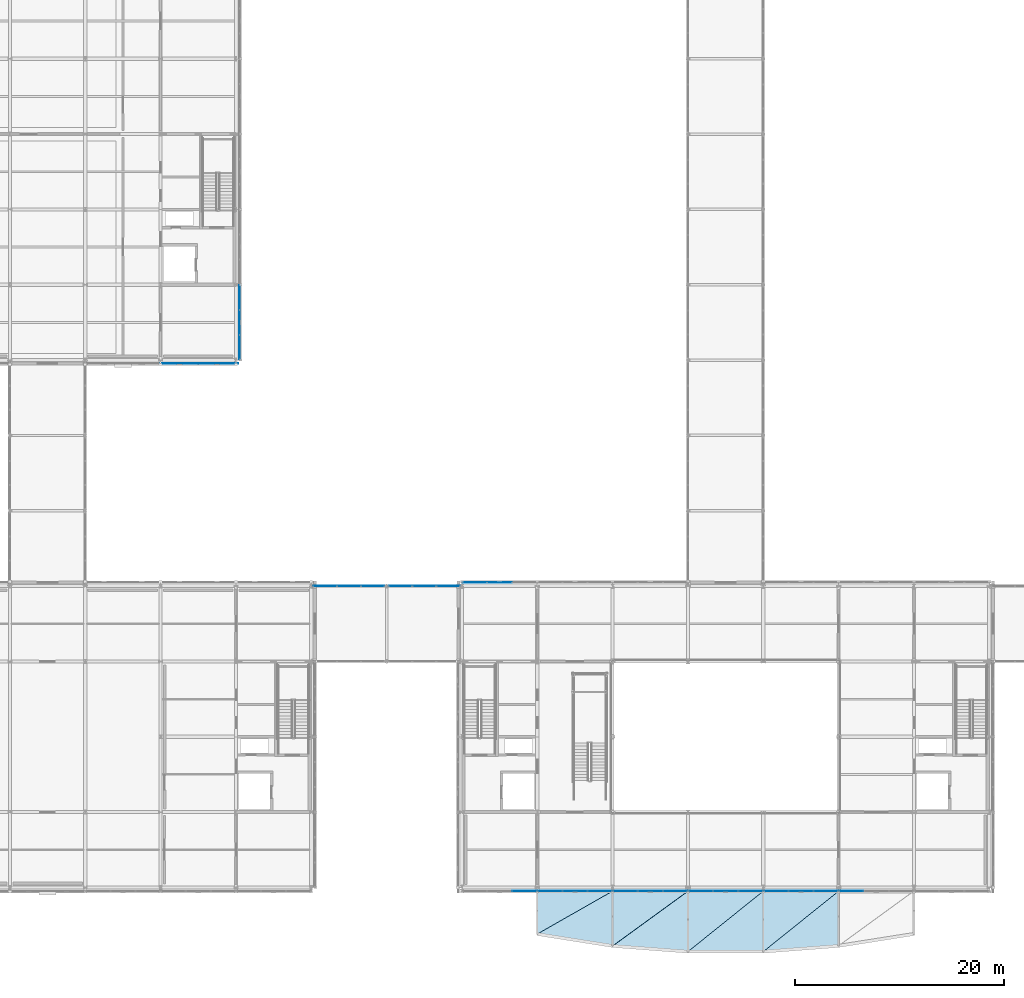
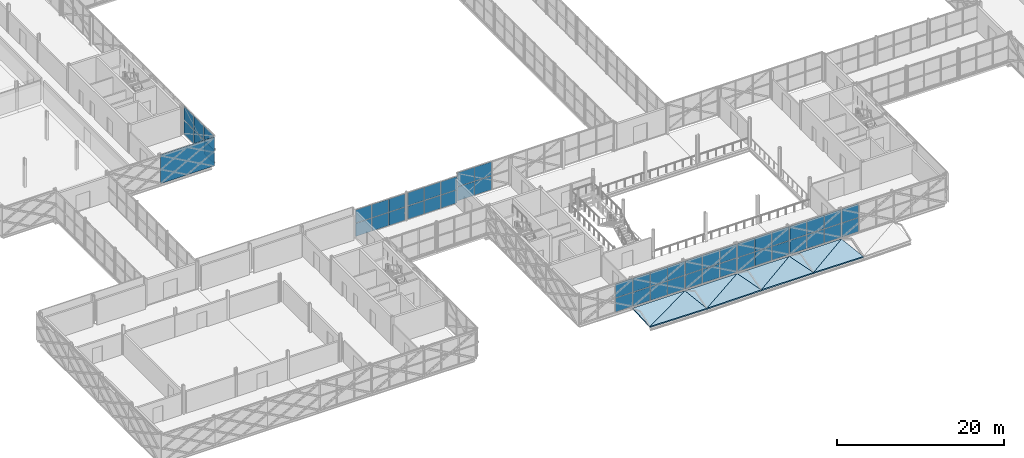
# One storey, part 88 of 146: 51 plates, 8 slabs, 10 elements without a shape of their own.
"""IFC4 building model written with IfcOpenShell, lengths in metres."""

from ifc_helpers import new_model, si_unit, direction, frame, origin, origin_2d, place, context, subcontext, project, spatial, polyline, rectangle, outline, extrude, material, layer, layer_set, type_object, element, aggregate, save


model = new_model("IFC4")

# Units and contexts
model_context = context("Model", 3, precision=1e-05, world=origin(), true_north=direction((0.0, 1.0)))
body_context = subcontext(model_context, "Body", "Model", "MODEL_VIEW")
ifc_project = project(units=[si_unit("LENGTHUNIT", "METRE"), si_unit("AREAUNIT", "SQUARE_METRE"), si_unit("VOLUMEUNIT", "CUBIC_METRE"), si_unit("PLANEANGLEUNIT", "RADIAN"), si_unit("MASSUNIT", "GRAM", prefix="KILO")], contexts=[model_context])

# Site, building, storey
site_placement = place(None, origin())
site = spatial("IfcSite", under=ifc_project, at=site_placement, CompositionType="ELEMENT")
building_placement = place(site_placement, origin())
building = spatial("IfcBuilding", under=site, at=building_placement, Name="Zlatovets Crest Museum", CompositionType="ELEMENT")
storey_placement = place(building_placement, frame((0.0, 0.0, 4.5)))
storey = spatial("IfcBuildingStorey", under=building, at=storey_placement, Name="L01", CompositionType="ELEMENT", Elevation=4.5)

# Curtain wall, plates
ifc_material_1 = material(Name="Bronze-anodised aluminium and low-E triple glass", Category="aluminium")
curtain_wall_type_1 = type_object("IfcCurtainWallType", Name="CW_CW-BR1-L01-S69", PredefinedType="NOTDEFINED", material=ifc_material_1)
curtain_wall_1_placement = place(storey_placement, origin())
curtain_wall_1 = element("IfcCurtainWall", 1, at=curtain_wall_1_placement, inside=storey, type_object=curtain_wall_type_1, Name="South Forecourt Glazed Link Bridge L01 Glazed Bridge Curtain Wall", PredefinedType="NOTDEFINED")
ifc_material_2 = material(Name="Solar-control low-E laminated triple glass", Category="glass")
ifc_layer_1 = layer(ifc_material_2, 0.030029296875)
ifc_layer_set_1 = layer_set([ifc_layer_1], Name="Solar-control low-E laminated triple glass")
plate_type_1 = type_object("IfcPlateType", Name="CWPanel_CW-BR1-L01-S69", PredefinedType="CURTAIN_PANEL", material=ifc_layer_set_1)
plate_1_placement = place(storey_placement, frame((44.514892578125, 28.800048828125, 0.06005859375), z_axis=(0.0, 0.0, 1.0), x_axis=(1.0, 0.0, 0.0)))
plate_1 = element("IfcPlate", 2, at=plate_1_placement, type_object=plate_type_1, Name="CW-BR1-L01-S69 panel 1.1", PredefinedType="CURTAIN_PANEL", context=body_context, shape_type="SweptSolid", body=[
    extrude(rectangle(XDim=2.2099609375, YDim=0.030029296875, at=origin_2d()), origin(), (0.0, 0.0, 1.0), 1.89990234375),
])
plate_2_placement = place(storey_placement, frame((44.514892578125, 28.800048828125, 2.02001953125), z_axis=(0.0, 0.0, 1.0), x_axis=(1.0, 0.0, 0.0)))
plate_2 = element("IfcPlate", 3, at=plate_2_placement, type_object=plate_type_1, Name="CW-BR1-L01-S69 panel 1.2", PredefinedType="CURTAIN_PANEL", context=body_context, shape_type="SweptSolid", body=[
    extrude(rectangle(XDim=2.2099609375, YDim=0.030029296875, at=origin_2d()), origin(), (0.0, 0.0, 1.0), 1.89990234375),
])
plate_3_placement = place(storey_placement, frame((46.800048828125, 28.800048828125, 0.06005859375), z_axis=(0.0, 0.0, 1.0), x_axis=(1.0, 0.0, 0.0)))
plate_3 = element("IfcPlate", 4, at=plate_3_placement, type_object=plate_type_1, Name="CW-BR1-L01-S69 panel 2.1", PredefinedType="CURTAIN_PANEL", context=body_context, shape_type="SweptSolid", body=[
    extrude(rectangle(XDim=2.239990234375, YDim=0.030029296875, at=origin_2d()), origin(), (0.0, 0.0, 1.0), 1.89990234375),
])
plate_4_placement = place(storey_placement, frame((46.800048828125, 28.800048828125, 2.02001953125), z_axis=(0.0, 0.0, 1.0), x_axis=(1.0, 0.0, 0.0)))
plate_4 = element("IfcPlate", 5, at=plate_4_placement, type_object=plate_type_1, Name="CW-BR1-L01-S69 panel 2.2", PredefinedType="CURTAIN_PANEL", context=body_context, shape_type="SweptSolid", body=[
    extrude(rectangle(XDim=2.239990234375, YDim=0.030029296875, at=origin_2d()), origin(), (0.0, 0.0, 1.0), 1.89990234375),
])
plate_5_placement = place(storey_placement, frame((49.0849609375, 28.800048828125, 0.06005859375), z_axis=(0.0, 0.0, 1.0), x_axis=(1.0, 0.0, 0.0)))
plate_5 = element("IfcPlate", 6, at=plate_5_placement, type_object=plate_type_1, Name="CW-BR1-L01-S69 panel 3.1", PredefinedType="CURTAIN_PANEL", context=body_context, shape_type="SweptSolid", body=[
    extrude(rectangle(XDim=2.2099609375, YDim=0.030029296875, at=origin_2d()), origin(), (0.0, 0.0, 1.0), 1.89990234375),
])
plate_6_placement = place(storey_placement, frame((49.0849609375, 28.800048828125, 2.02001953125), z_axis=(0.0, 0.0, 1.0), x_axis=(1.0, 0.0, 0.0)))
plate_6 = element("IfcPlate", 7, at=plate_6_placement, type_object=plate_type_1, Name="CW-BR1-L01-S69 panel 3.2", PredefinedType="CURTAIN_PANEL", context=body_context, shape_type="SweptSolid", body=[
    extrude(rectangle(XDim=2.2099609375, YDim=0.030029296875, at=origin_2d()), origin(), (0.0, 0.0, 1.0), 1.89990234375),
])
aggregate(curtain_wall_1, [plate_1, plate_2, plate_3, plate_4, plate_5, plate_6])

curtain_wall_2_placement = place(storey_placement, origin())
curtain_wall_2 = element("IfcCurtainWall", 8, at=curtain_wall_2_placement, inside=storey, type_object=curtain_wall_type_1, Name="South Forecourt Glazed Link Bridge L01 Glazed Bridge Curtain Wall", PredefinedType="NOTDEFINED")
plate_7_placement = place(storey_placement, frame((51.715087890625, 28.800048828125, 0.06005859375), z_axis=(0.0, 0.0, 1.0), x_axis=(1.0, 0.0, 0.0)))
plate_7 = element("IfcPlate", 9, at=plate_7_placement, type_object=plate_type_1, Name="CW-BR1-L01-S69 panel 1.1", PredefinedType="CURTAIN_PANEL", context=body_context, shape_type="SweptSolid", body=[
    extrude(rectangle(XDim=2.2099609375, YDim=0.030029296875, at=origin_2d()), origin(), (0.0, 0.0, 1.0), 1.89990234375),
])
plate_8_placement = place(storey_placement, frame((51.715087890625, 28.800048828125, 2.02001953125), z_axis=(0.0, 0.0, 1.0), x_axis=(1.0, 0.0, 0.0)))
plate_8 = element("IfcPlate", 10, at=plate_8_placement, type_object=plate_type_1, Name="CW-BR1-L01-S69 panel 1.2", PredefinedType="CURTAIN_PANEL", context=body_context, shape_type="SweptSolid", body=[
    extrude(rectangle(XDim=2.2099609375, YDim=0.030029296875, at=origin_2d()), origin(), (0.0, 0.0, 1.0), 1.89990234375),
])
plate_9_placement = place(storey_placement, frame((54.0, 28.800048828125, 0.06005859375), z_axis=(0.0, 0.0, 1.0), x_axis=(1.0, 0.0, 0.0)))
plate_9 = element("IfcPlate", 11, at=plate_9_placement, type_object=plate_type_1, Name="CW-BR1-L01-S69 panel 2.1", PredefinedType="CURTAIN_PANEL", context=body_context, shape_type="SweptSolid", body=[
    extrude(rectangle(XDim=2.239990234375, YDim=0.030029296875, at=origin_2d()), origin(), (0.0, 0.0, 1.0), 1.89990234375),
])
plate_10_placement = place(storey_placement, frame((54.0, 28.800048828125, 2.02001953125), z_axis=(0.0, 0.0, 1.0), x_axis=(1.0, 0.0, 0.0)))
plate_10 = element("IfcPlate", 12, at=plate_10_placement, type_object=plate_type_1, Name="CW-BR1-L01-S69 panel 2.2", PredefinedType="CURTAIN_PANEL", context=body_context, shape_type="SweptSolid", body=[
    extrude(rectangle(XDim=2.239990234375, YDim=0.030029296875, at=origin_2d()), origin(), (0.0, 0.0, 1.0), 1.89990234375),
])
plate_11_placement = place(storey_placement, frame((56.284912109375, 28.800048828125, 0.06005859375), z_axis=(0.0, 0.0, 1.0), x_axis=(1.0, 0.0, 0.0)))
plate_11 = element("IfcPlate", 13, at=plate_11_placement, type_object=plate_type_1, Name="CW-BR1-L01-S69 panel 3.1", PredefinedType="CURTAIN_PANEL", context=body_context, shape_type="SweptSolid", body=[
    extrude(rectangle(XDim=2.2099609375, YDim=0.030029296875, at=origin_2d()), origin(), (0.0, 0.0, 1.0), 1.89990234375),
])
plate_12_placement = place(storey_placement, frame((56.284912109375, 28.800048828125, 2.02001953125), z_axis=(0.0, 0.0, 1.0), x_axis=(1.0, 0.0, 0.0)))
plate_12 = element("IfcPlate", 14, at=plate_12_placement, type_object=plate_type_1, Name="CW-BR1-L01-S69 panel 3.2", PredefinedType="CURTAIN_PANEL", context=body_context, shape_type="SweptSolid", body=[
    extrude(rectangle(XDim=2.2099609375, YDim=0.030029296875, at=origin_2d()), origin(), (0.0, 0.0, 1.0), 1.89990234375),
])
aggregate(curtain_wall_2, [plate_7, plate_8, plate_9, plate_10, plate_11, plate_12])

curtain_wall_type_2 = type_object("IfcCurtainWallType", Name="CW_CW-V2-L01-M0", PredefinedType="NOTDEFINED", material=ifc_material_1)
curtain_wall_3_placement = place(storey_placement, origin())
curtain_wall_3 = element("IfcCurtainWall", 15, at=curtain_wall_3_placement, inside=storey, type_object=curtain_wall_type_2, Name="V2 L01 Secession Foyer Clear Curtain Wall", PredefinedType="NOTDEFINED")
ifc_layer_2 = layer(ifc_material_2, 0.028076171875)
ifc_layer_set_2 = layer_set([ifc_layer_2], Name="Solar-control low-E laminated triple glass")
plate_type_2 = type_object("IfcPlateType", Name="CWPanel_CW-V2-L01-M0", PredefinedType="CURTAIN_PANEL", material=ifc_layer_set_2)
plate_13_placement = place(storey_placement, frame((63.5849609375, -0.340087890625, 0.06005859375), z_axis=(0.0, 0.0, 1.0), x_axis=(1.0, 0.0, 0.0)))
plate_13 = element("IfcPlate", 16, at=plate_13_placement, type_object=plate_type_2, Name="CW-V2-L01-M0 panel 3.1", PredefinedType="CURTAIN_PANEL", context=body_context, shape_type="SweptSolid", body=[
    extrude(rectangle(XDim=2.31005859375, YDim=0.028076171875, at=origin_2d()), origin(), (0.0, 0.0, 1.0), 2.010009765625),
])
plate_14_placement = place(storey_placement, frame((63.5849609375, -0.340087890625, 2.1298828125), z_axis=(0.0, 0.0, 1.0), x_axis=(1.0, 0.0, 0.0)))
plate_14 = element("IfcPlate", 17, at=plate_14_placement, type_object=plate_type_2, Name="CW-V2-L01-M0 panel 3.2", PredefinedType="CURTAIN_PANEL", context=body_context, shape_type="SweptSolid", body=[
    extrude(rectangle(XDim=2.31005859375, YDim=0.028076171875, at=origin_2d()), origin(), (0.0, 0.0, 1.0), 2.010009765625),
])
aggregate(curtain_wall_3, [plate_13, plate_14])

curtain_wall_4_placement = place(storey_placement, origin())
curtain_wall_4 = element("IfcCurtainWall", 18, at=curtain_wall_4_placement, inside=storey, type_object=curtain_wall_type_2, Name="V2 L01 Secession Foyer Clear Curtain Wall", PredefinedType="NOTDEFINED")
plate_15_placement = place(storey_placement, frame((87.614990234375, -0.340087890625, 0.06005859375), z_axis=(0.0, 0.0, 1.0), x_axis=(1.0, 0.0, 0.0)))
plate_15 = element("IfcPlate", 19, at=plate_15_placement, type_object=plate_type_2, Name="CW-V2-L01-M0 panel 1.1", PredefinedType="CURTAIN_PANEL", context=body_context, shape_type="SweptSolid", body=[
    extrude(rectangle(XDim=2.31005859375, YDim=0.028076171875, at=origin_2d()), origin(), (0.0, 0.0, 1.0), 2.010009765625),
])
plate_16_placement = place(storey_placement, frame((87.614990234375, -0.340087890625, 2.1298828125), z_axis=(0.0, 0.0, 1.0), x_axis=(1.0, 0.0, 0.0)))
plate_16 = element("IfcPlate", 20, at=plate_16_placement, type_object=plate_type_2, Name="CW-V2-L01-M0 panel 1.2", PredefinedType="CURTAIN_PANEL", context=body_context, shape_type="SweptSolid", body=[
    extrude(rectangle(XDim=2.31005859375, YDim=0.028076171875, at=origin_2d()), origin(), (0.0, 0.0, 1.0), 2.010009765625),
])
plate_17_placement = place(storey_placement, frame((90.0, -0.340087890625, 0.06005859375), z_axis=(0.0, 0.0, 1.0), x_axis=(1.0, 0.0, 0.0)))
plate_17 = element("IfcPlate", 21, at=plate_17_placement, type_object=plate_type_2, Name="CW-V2-L01-M0 panel 2.1", PredefinedType="CURTAIN_PANEL", context=body_context, shape_type="SweptSolid", body=[
    extrude(rectangle(XDim=2.340087890625, YDim=0.028076171875, at=origin_2d()), origin(), (0.0, 0.0, 1.0), 2.010009765625),
])
plate_18_placement = place(storey_placement, frame((90.0, -0.340087890625, 2.1298828125), z_axis=(0.0, 0.0, 1.0), x_axis=(1.0, 0.0, 0.0)))
plate_18 = element("IfcPlate", 22, at=plate_18_placement, type_object=plate_type_2, Name="CW-V2-L01-M0 panel 2.2", PredefinedType="CURTAIN_PANEL", context=body_context, shape_type="SweptSolid", body=[
    extrude(rectangle(XDim=2.340087890625, YDim=0.028076171875, at=origin_2d()), origin(), (0.0, 0.0, 1.0), 2.010009765625),
])
plate_19_placement = place(storey_placement, frame((92.385009765625, -0.340087890625, 0.06005859375), z_axis=(0.0, 0.0, 1.0), x_axis=(1.0, 0.0, 0.0)))
plate_19 = element("IfcPlate", 23, at=plate_19_placement, type_object=plate_type_2, Name="CW-V2-L01-M0 panel 3.1", PredefinedType="CURTAIN_PANEL", context=body_context, shape_type="SweptSolid", body=[
    extrude(rectangle(XDim=2.31005859375, YDim=0.028076171875, at=origin_2d()), origin(), (0.0, 0.0, 1.0), 2.010009765625),
])
plate_20_placement = place(storey_placement, frame((92.385009765625, -0.340087890625, 2.1298828125), z_axis=(0.0, 0.0, 1.0), x_axis=(1.0, 0.0, 0.0)))
plate_20 = element("IfcPlate", 24, at=plate_20_placement, type_object=plate_type_2, Name="CW-V2-L01-M0 panel 3.2", PredefinedType="CURTAIN_PANEL", context=body_context, shape_type="SweptSolid", body=[
    extrude(rectangle(XDim=2.31005859375, YDim=0.028076171875, at=origin_2d()), origin(), (0.0, 0.0, 1.0), 2.010009765625),
])
aggregate(curtain_wall_4, [plate_15, plate_16, plate_17, plate_18, plate_19, plate_20])

curtain_wall_type_3 = type_object("IfcCurtainWallType", Name="CW_CW-V2-L01-M1", PredefinedType="NOTDEFINED", material=ifc_material_1)
curtain_wall_5_placement = place(storey_placement, origin())
curtain_wall_5 = element("IfcCurtainWall", 25, at=curtain_wall_5_placement, inside=storey, type_object=curtain_wall_type_3, Name="V2 L01 Secession Foyer Clear Curtain Wall", PredefinedType="NOTDEFINED")
ifc_layer_3 = layer(ifc_material_2, 0.031982421875)
ifc_layer_set_3 = layer_set([ifc_layer_3], Name="Solar-control low-E laminated triple glass")
plate_type_3 = type_object("IfcPlateType", Name="CWPanel_CW-V2-L01-M1", PredefinedType="CURTAIN_PANEL", material=ifc_layer_set_3)
plate_21_placement = place(storey_placement, frame((66.014892578125, -0.340087890625, 0.06005859375), z_axis=(0.0, 0.0, 1.0), x_axis=(1.0, 0.0, 0.0)))
plate_21 = element("IfcPlate", 26, at=plate_21_placement, type_object=plate_type_3, Name="CW-V2-L01-M1 panel 1.1", PredefinedType="CURTAIN_PANEL", context=body_context, shape_type="SweptSolid", body=[
    extrude(rectangle(XDim=2.31005859375, YDim=0.031982421875, at=origin_2d()), origin(), (0.0, 0.0, 1.0), 2.010009765625),
])
plate_22_placement = place(storey_placement, frame((66.014892578125, -0.340087890625, 2.1298828125), z_axis=(0.0, 0.0, 1.0), x_axis=(1.0, 0.0, 0.0)))
plate_22 = element("IfcPlate", 27, at=plate_22_placement, type_object=plate_type_3, Name="CW-V2-L01-M1 panel 1.2", PredefinedType="CURTAIN_PANEL", context=body_context, shape_type="SweptSolid", body=[
    extrude(rectangle(XDim=2.31005859375, YDim=0.031982421875, at=origin_2d()), origin(), (0.0, 0.0, 1.0), 2.010009765625),
])
plate_23_placement = place(storey_placement, frame((68.39990234375, -0.340087890625, 0.06005859375), z_axis=(0.0, 0.0, 1.0), x_axis=(1.0, 0.0, 0.0)))
plate_23 = element("IfcPlate", 28, at=plate_23_placement, type_object=plate_type_3, Name="CW-V2-L01-M1 panel 2.1", PredefinedType="CURTAIN_PANEL", context=body_context, shape_type="SweptSolid", body=[
    extrude(rectangle(XDim=2.340087890625, YDim=0.031982421875, at=origin_2d()), origin(), (0.0, 0.0, 1.0), 2.010009765625),
])
plate_24_placement = place(storey_placement, frame((68.39990234375, -0.340087890625, 2.1298828125), z_axis=(0.0, 0.0, 1.0), x_axis=(1.0, 0.0, 0.0)))
plate_24 = element("IfcPlate", 29, at=plate_24_placement, type_object=plate_type_3, Name="CW-V2-L01-M1 panel 2.2", PredefinedType="CURTAIN_PANEL", context=body_context, shape_type="SweptSolid", body=[
    extrude(rectangle(XDim=2.340087890625, YDim=0.031982421875, at=origin_2d()), origin(), (0.0, 0.0, 1.0), 2.010009765625),
])
plate_25_placement = place(storey_placement, frame((70.784912109375, -0.340087890625, 0.06005859375), z_axis=(0.0, 0.0, 1.0), x_axis=(1.0, 0.0, 0.0)))
plate_25 = element("IfcPlate", 30, at=plate_25_placement, type_object=plate_type_3, Name="CW-V2-L01-M1 panel 3.1", PredefinedType="CURTAIN_PANEL", context=body_context, shape_type="SweptSolid", body=[
    extrude(rectangle(XDim=2.31005859375, YDim=0.031982421875, at=origin_2d()), origin(), (0.0, 0.0, 1.0), 2.010009765625),
])
plate_26_placement = place(storey_placement, frame((70.784912109375, -0.340087890625, 2.1298828125), z_axis=(0.0, 0.0, 1.0), x_axis=(1.0, 0.0, 0.0)))
plate_26 = element("IfcPlate", 31, at=plate_26_placement, type_object=plate_type_3, Name="CW-V2-L01-M1 panel 3.2", PredefinedType="CURTAIN_PANEL", context=body_context, shape_type="SweptSolid", body=[
    extrude(rectangle(XDim=2.31005859375, YDim=0.031982421875, at=origin_2d()), origin(), (0.0, 0.0, 1.0), 2.010009765625),
])
aggregate(curtain_wall_5, [plate_21, plate_22, plate_23, plate_24, plate_25, plate_26])

curtain_wall_6_placement = place(storey_placement, origin())
curtain_wall_6 = element("IfcCurtainWall", 32, at=curtain_wall_6_placement, inside=storey, type_object=curtain_wall_type_3, Name="V2 L01 Secession Foyer Clear Curtain Wall", PredefinedType="NOTDEFINED")
plate_27_placement = place(storey_placement, frame((94.81494140625, -0.340087890625, 0.06005859375), z_axis=(0.0, 0.0, 1.0), x_axis=(1.0, 0.0, 0.0)))
plate_27 = element("IfcPlate", 33, at=plate_27_placement, type_object=plate_type_3, Name="CW-V2-L01-M1 panel 1.1", PredefinedType="CURTAIN_PANEL", context=body_context, shape_type="SweptSolid", body=[
    extrude(rectangle(XDim=2.31005859375, YDim=0.031982421875, at=origin_2d()), origin(), (0.0, 0.0, 1.0), 2.010009765625),
])
plate_28_placement = place(storey_placement, frame((94.81494140625, -0.340087890625, 2.1298828125), z_axis=(0.0, 0.0, 1.0), x_axis=(1.0, 0.0, 0.0)))
plate_28 = element("IfcPlate", 34, at=plate_28_placement, type_object=plate_type_3, Name="CW-V2-L01-M1 panel 1.2", PredefinedType="CURTAIN_PANEL", context=body_context, shape_type="SweptSolid", body=[
    extrude(rectangle(XDim=2.31005859375, YDim=0.031982421875, at=origin_2d()), origin(), (0.0, 0.0, 1.0), 2.010009765625),
])
aggregate(curtain_wall_6, [plate_27, plate_28])

curtain_wall_7_placement = place(storey_placement, origin())
curtain_wall_7 = element("IfcCurtainWall", 35, at=curtain_wall_7_placement, inside=storey, type_object=curtain_wall_type_3, Name="V2 L01 Secession Foyer Clear Curtain Wall", PredefinedType="NOTDEFINED")
plate_29_placement = place(storey_placement, frame((61.199951171875, 29.139892578125, 0.06005859375), z_axis=(0.0, 0.0, 1.0), x_axis=(-1.0, 0.0, 0.0)))
plate_29 = element("IfcPlate", 36, at=plate_29_placement, type_object=plate_type_3, Name="CW-V2-L01-M1 panel 2.1", PredefinedType="CURTAIN_PANEL", context=body_context, shape_type="SweptSolid", body=[
    extrude(rectangle(XDim=2.340087890625, YDim=0.031982421875, at=origin_2d()), origin(), (0.0, 0.0, 1.0), 2.010009765625),
])
plate_30_placement = place(storey_placement, frame((61.199951171875, 29.139892578125, 2.1298828125), z_axis=(0.0, 0.0, 1.0), x_axis=(-1.0, 0.0, 0.0)))
plate_30 = element("IfcPlate", 37, at=plate_30_placement, type_object=plate_type_3, Name="CW-V2-L01-M1 panel 2.2", PredefinedType="CURTAIN_PANEL", context=body_context, shape_type="SweptSolid", body=[
    extrude(rectangle(XDim=2.340087890625, YDim=0.031982421875, at=origin_2d()), origin(), (0.0, 0.0, 1.0), 2.010009765625),
])
plate_31_placement = place(storey_placement, frame((58.81494140625, 29.139892578125, 0.06005859375), z_axis=(0.0, 0.0, 1.0), x_axis=(-1.0, 0.0, 0.0)))
plate_31 = element("IfcPlate", 38, at=plate_31_placement, type_object=plate_type_3, Name="CW-V2-L01-M1 panel 3.1", PredefinedType="CURTAIN_PANEL", context=body_context, shape_type="SweptSolid", body=[
    extrude(rectangle(XDim=2.31005859375, YDim=0.031982421875, at=origin_2d()), origin(), (0.0, 0.0, 1.0), 2.010009765625),
])
plate_32_placement = place(storey_placement, frame((58.81494140625, 29.139892578125, 2.1298828125), z_axis=(0.0, 0.0, 1.0), x_axis=(-1.0, 0.0, 0.0)))
plate_32 = element("IfcPlate", 39, at=plate_32_placement, type_object=plate_type_3, Name="CW-V2-L01-M1 panel 3.2", PredefinedType="CURTAIN_PANEL", context=body_context, shape_type="SweptSolid", body=[
    extrude(rectangle(XDim=2.31005859375, YDim=0.031982421875, at=origin_2d()), origin(), (0.0, 0.0, 1.0), 2.010009765625),
])
aggregate(curtain_wall_7, [plate_29, plate_30, plate_31, plate_32])

curtain_wall_type_4 = type_object("IfcCurtainWallType", Name="CW_CW-V2-L01-M2", PredefinedType="NOTDEFINED", material=ifc_material_1)
curtain_wall_8_placement = place(storey_placement, origin())
curtain_wall_8 = element("IfcCurtainWall", 40, at=curtain_wall_8_placement, inside=storey, type_object=curtain_wall_type_4, Name="V2 L01 Secession Foyer Clear Curtain Wall", PredefinedType="NOTDEFINED")
ifc_layer_4 = layer(ifc_material_2, 0.035888671875)
ifc_layer_set_4 = layer_set([ifc_layer_4], Name="Solar-control low-E laminated triple glass")
plate_type_4 = type_object("IfcPlateType", Name="CWPanel_CW-V2-L01-M2", PredefinedType="CURTAIN_PANEL", material=ifc_layer_set_4)
plate_33_placement = place(storey_placement, frame((73.215087890625, -0.340087890625, 0.06005859375), z_axis=(0.0, 0.0, 1.0), x_axis=(1.0, 0.0, 0.0)))
plate_33 = element("IfcPlate", 41, at=plate_33_placement, type_object=plate_type_4, Name="CW-V2-L01-M2 panel 1.1", PredefinedType="CURTAIN_PANEL", context=body_context, shape_type="SweptSolid", body=[
    extrude(rectangle(XDim=2.31005859375, YDim=0.035888671875, at=origin_2d()), origin(), (0.0, 0.0, 1.0), 2.010009765625),
])
plate_34_placement = place(storey_placement, frame((73.215087890625, -0.340087890625, 2.1298828125), z_axis=(0.0, 0.0, 1.0), x_axis=(1.0, 0.0, 0.0)))
plate_34 = element("IfcPlate", 42, at=plate_34_placement, type_object=plate_type_4, Name="CW-V2-L01-M2 panel 1.2", PredefinedType="CURTAIN_PANEL", context=body_context, shape_type="SweptSolid", body=[
    extrude(rectangle(XDim=2.31005859375, YDim=0.035888671875, at=origin_2d()), origin(), (0.0, 0.0, 1.0), 2.010009765625),
])
plate_35_placement = place(storey_placement, frame((75.60009765625, -0.340087890625, 0.06005859375), z_axis=(0.0, 0.0, 1.0), x_axis=(1.0, 0.0, 0.0)))
plate_35 = element("IfcPlate", 43, at=plate_35_placement, type_object=plate_type_4, Name="CW-V2-L01-M2 panel 2.1", PredefinedType="CURTAIN_PANEL", context=body_context, shape_type="SweptSolid", body=[
    extrude(rectangle(XDim=2.340087890625, YDim=0.035888671875, at=origin_2d()), origin(), (0.0, 0.0, 1.0), 2.010009765625),
])
plate_36_placement = place(storey_placement, frame((75.60009765625, -0.340087890625, 2.1298828125), z_axis=(0.0, 0.0, 1.0), x_axis=(1.0, 0.0, 0.0)))
plate_36 = element("IfcPlate", 44, at=plate_36_placement, type_object=plate_type_4, Name="CW-V2-L01-M2 panel 2.2", PredefinedType="CURTAIN_PANEL", context=body_context, shape_type="SweptSolid", body=[
    extrude(rectangle(XDim=2.340087890625, YDim=0.035888671875, at=origin_2d()), origin(), (0.0, 0.0, 1.0), 2.010009765625),
])
plate_37_placement = place(storey_placement, frame((77.985107421875, -0.340087890625, 0.06005859375), z_axis=(0.0, 0.0, 1.0), x_axis=(1.0, 0.0, 0.0)))
plate_37 = element("IfcPlate", 45, at=plate_37_placement, type_object=plate_type_4, Name="CW-V2-L01-M2 panel 3.1", PredefinedType="CURTAIN_PANEL", context=body_context, shape_type="SweptSolid", body=[
    extrude(rectangle(XDim=2.31005859375, YDim=0.035888671875, at=origin_2d()), origin(), (0.0, 0.0, 1.0), 2.010009765625),
])
plate_38_placement = place(storey_placement, frame((77.985107421875, -0.340087890625, 2.1298828125), z_axis=(0.0, 0.0, 1.0), x_axis=(1.0, 0.0, 0.0)))
plate_38 = element("IfcPlate", 46, at=plate_38_placement, type_object=plate_type_4, Name="CW-V2-L01-M2 panel 3.2", PredefinedType="CURTAIN_PANEL", context=body_context, shape_type="SweptSolid", body=[
    extrude(rectangle(XDim=2.31005859375, YDim=0.035888671875, at=origin_2d()), origin(), (0.0, 0.0, 1.0), 2.010009765625),
])
aggregate(curtain_wall_8, [plate_33, plate_34, plate_35, plate_36, plate_37, plate_38])

curtain_wall_type_5 = type_object("IfcCurtainWallType", Name="CW_CW-V2-L01-M3", PredefinedType="NOTDEFINED", material=ifc_material_1)
curtain_wall_9_placement = place(storey_placement, origin())
curtain_wall_9 = element("IfcCurtainWall", 47, at=curtain_wall_9_placement, inside=storey, type_object=curtain_wall_type_5, Name="V2 L01 Secession Foyer Clear Curtain Wall", PredefinedType="NOTDEFINED")
ifc_layer_5 = layer(ifc_material_2, 0.0400390625)
ifc_layer_set_5 = layer_set([ifc_layer_5], Name="Solar-control low-E laminated triple glass")
plate_type_5 = type_object("IfcPlateType", Name="CWPanel_CW-V2-L01-M3", PredefinedType="CURTAIN_PANEL", material=ifc_layer_set_5)
plate_39_placement = place(storey_placement, frame((80.4150390625, -0.340087890625, 0.06005859375), z_axis=(0.0, 0.0, 1.0), x_axis=(1.0, 0.0, 0.0)))
plate_39 = element("IfcPlate", 48, at=plate_39_placement, type_object=plate_type_5, Name="CW-V2-L01-M3 panel 1.1", PredefinedType="CURTAIN_PANEL", context=body_context, shape_type="SweptSolid", body=[
    extrude(rectangle(XDim=2.31005859375, YDim=0.0400390625, at=origin_2d()), origin(), (0.0, 0.0, 1.0), 2.010009765625),
])
plate_40_placement = place(storey_placement, frame((80.4150390625, -0.340087890625, 2.1298828125), z_axis=(0.0, 0.0, 1.0), x_axis=(1.0, 0.0, 0.0)))
plate_40 = element("IfcPlate", 49, at=plate_40_placement, type_object=plate_type_5, Name="CW-V2-L01-M3 panel 1.2", PredefinedType="CURTAIN_PANEL", context=body_context, shape_type="SweptSolid", body=[
    extrude(rectangle(XDim=2.31005859375, YDim=0.0400390625, at=origin_2d()), origin(), (0.0, 0.0, 1.0), 2.010009765625),
])
plate_41_placement = place(storey_placement, frame((82.800048828125, -0.340087890625, 0.06005859375), z_axis=(0.0, 0.0, 1.0), x_axis=(1.0, 0.0, 0.0)))
plate_41 = element("IfcPlate", 50, at=plate_41_placement, type_object=plate_type_5, Name="CW-V2-L01-M3 panel 2.1", PredefinedType="CURTAIN_PANEL", context=body_context, shape_type="SweptSolid", body=[
    extrude(rectangle(XDim=2.340087890625, YDim=0.0400390625, at=origin_2d()), origin(), (0.0, 0.0, 1.0), 2.010009765625),
])
plate_42_placement = place(storey_placement, frame((82.800048828125, -0.340087890625, 2.1298828125), z_axis=(0.0, 0.0, 1.0), x_axis=(1.0, 0.0, 0.0)))
plate_42 = element("IfcPlate", 51, at=plate_42_placement, type_object=plate_type_5, Name="CW-V2-L01-M3 panel 2.2", PredefinedType="CURTAIN_PANEL", context=body_context, shape_type="SweptSolid", body=[
    extrude(rectangle(XDim=2.340087890625, YDim=0.0400390625, at=origin_2d()), origin(), (0.0, 0.0, 1.0), 2.010009765625),
])
plate_43_placement = place(storey_placement, frame((85.18505859375, -0.340087890625, 0.06005859375), z_axis=(0.0, 0.0, 1.0), x_axis=(1.0, 0.0, 0.0)))
plate_43 = element("IfcPlate", 52, at=plate_43_placement, type_object=plate_type_5, Name="CW-V2-L01-M3 panel 3.1", PredefinedType="CURTAIN_PANEL", context=body_context, shape_type="SweptSolid", body=[
    extrude(rectangle(XDim=2.31005859375, YDim=0.0400390625, at=origin_2d()), origin(), (0.0, 0.0, 1.0), 2.010009765625),
])
plate_44_placement = place(storey_placement, frame((85.18505859375, -0.340087890625, 2.1298828125), z_axis=(0.0, 0.0, 1.0), x_axis=(1.0, 0.0, 0.0)))
plate_44 = element("IfcPlate", 53, at=plate_44_placement, type_object=plate_type_5, Name="CW-V2-L01-M3 panel 3.2", PredefinedType="CURTAIN_PANEL", context=body_context, shape_type="SweptSolid", body=[
    extrude(rectangle(XDim=2.31005859375, YDim=0.0400390625, at=origin_2d()), origin(), (0.0, 0.0, 1.0), 2.010009765625),
])
aggregate(curtain_wall_9, [plate_39, plate_40, plate_41, plate_42, plate_43, plate_44])

curtain_wall_type_6 = type_object("IfcCurtainWallType", Name="CW_CW-V4-L01-M0", PredefinedType="NOTDEFINED", material=ifc_material_1)
curtain_wall_10_placement = place(storey_placement, origin())
curtain_wall_10 = element("IfcCurtainWall", 54, at=curtain_wall_10_placement, inside=storey, type_object=curtain_wall_type_6, Name="V4 L01 Secession Foyer Clear Curtain Wall", PredefinedType="NOTDEFINED")
ifc_layer_6 = layer(ifc_material_2, 0.028076171875)
ifc_layer_set_6 = layer_set([ifc_layer_6], Name="Solar-control low-E laminated triple glass")
plate_type_6 = type_object("IfcPlateType", Name="CWPanel_CW-V4-L01-M0", PredefinedType="CURTAIN_PANEL", material=ifc_layer_set_6)
plate_45_placement = place(storey_placement, frame((36.340087890625, 51.614990234375, 0.06005859375), z_axis=(0.0, 0.0, 1.0), x_axis=(0.0, 1.0, 0.0)))
plate_45 = element("IfcPlate", 55, at=plate_45_placement, type_object=plate_type_6, Name="CW-V4-L01-M0 panel 1.1", PredefinedType="CURTAIN_PANEL", context=body_context, shape_type="SweptSolid", body=[
    extrude(rectangle(XDim=2.31005859375, YDim=0.028076171875, at=origin_2d()), origin(), (0.0, 0.0, 1.0), 2.010009765625),
])
plate_46_placement = place(storey_placement, frame((36.340087890625, 51.614990234375, 2.1298828125), z_axis=(0.0, 0.0, 1.0), x_axis=(0.0, 1.0, 0.0)))
plate_46 = element("IfcPlate", 56, at=plate_46_placement, type_object=plate_type_6, Name="CW-V4-L01-M0 panel 1.2", PredefinedType="CURTAIN_PANEL", context=body_context, shape_type="SweptSolid", body=[
    extrude(rectangle(XDim=2.31005859375, YDim=0.028076171875, at=origin_2d()), origin(), (0.0, 0.0, 1.0), 2.010009765625),
])
plate_47_placement = place(storey_placement, frame((36.340087890625, 54.0, 0.06005859375), z_axis=(0.0, 0.0, 1.0), x_axis=(0.0, 1.0, 0.0)))
plate_47 = element("IfcPlate", 57, at=plate_47_placement, type_object=plate_type_6, Name="CW-V4-L01-M0 panel 2.1", PredefinedType="CURTAIN_PANEL", context=body_context, shape_type="SweptSolid", body=[
    extrude(rectangle(XDim=2.340087890625, YDim=0.028076171875, at=origin_2d()), origin(), (0.0, 0.0, 1.0), 2.010009765625),
])
plate_48_placement = place(storey_placement, frame((36.340087890625, 54.0, 2.1298828125), z_axis=(0.0, 0.0, 1.0), x_axis=(0.0, 1.0, 0.0)))
plate_48 = element("IfcPlate", 58, at=plate_48_placement, type_object=plate_type_6, Name="CW-V4-L01-M0 panel 2.2", PredefinedType="CURTAIN_PANEL", context=body_context, shape_type="SweptSolid", body=[
    extrude(rectangle(XDim=2.340087890625, YDim=0.028076171875, at=origin_2d()), origin(), (0.0, 0.0, 1.0), 2.010009765625),
])
plate_49_placement = place(storey_placement, frame((36.340087890625, 56.385009765625, 0.06005859375), z_axis=(0.0, 0.0, 1.0), x_axis=(0.0, 1.0, 0.0)))
plate_49 = element("IfcPlate", 59, at=plate_49_placement, type_object=plate_type_6, Name="CW-V4-L01-M0 panel 3.1", PredefinedType="CURTAIN_PANEL", context=body_context, shape_type="SweptSolid", body=[
    extrude(rectangle(XDim=2.31005859375, YDim=0.028076171875, at=origin_2d()), origin(), (0.0, 0.0, 1.0), 2.010009765625),
])
plate_50_placement = place(storey_placement, frame((36.340087890625, 56.385009765625, 2.1298828125), z_axis=(0.0, 0.0, 1.0), x_axis=(0.0, 1.0, 0.0)))
plate_50 = element("IfcPlate", 60, at=plate_50_placement, type_object=plate_type_6, Name="CW-V4-L01-M0 panel 3.2", PredefinedType="CURTAIN_PANEL", context=body_context, shape_type="SweptSolid", body=[
    extrude(rectangle(XDim=2.31005859375, YDim=0.028076171875, at=origin_2d()), origin(), (0.0, 0.0, 1.0), 2.010009765625),
])
aggregate(curtain_wall_10, [plate_45, plate_46, plate_47, plate_48, plate_49, plate_50])

# Plate
ifc_material_3 = material(Name="Ceramic-fritted low-E laminated architectural glass", Category="glass")
ifc_layer_7 = layer(ifc_material_3, 0.031982421875)
ifc_layer_set_7 = layer_set([ifc_layer_7], Name="Ceramic-fritted low-E laminated architectural glass")
plate_type_7 = type_object("IfcPlateType", Name="GlazedSpandrel_GSP1", PredefinedType="USERDEFINED", material=ifc_layer_set_7)
plate_51_placement = place(storey_placement, frame((32.5, 50.06005859375, 0.0), z_axis=(0.0, 0.0, 1.0), x_axis=(1.0, 0.0, 0.0)))
element("IfcPlate", 61, at=plate_51_placement, inside=storey, type_object=plate_type_7, Name="V4 L01 Ceramic-Fritted Gallery Glass Skin", ObjectType="GLAZED_SPANDREL", PredefinedType="USERDEFINED", context=body_context, shape_type="SweptSolid", body=[
    extrude(rectangle(XDim=7.39990234375, YDim=0.031982421875, at=origin_2d()), origin(), (0.0, 0.0, 1.0), 4.199951171875),
])

# Slabs
ifc_material_4 = material(Name="Concrete C30/37", Category="concrete")
ifc_layer_8 = layer(ifc_material_4, 0.159912109375)
ifc_layer_set_8 = layer_set([ifc_layer_8], Name="Concrete C30/37")
slab_type = type_object("IfcSlabType", Name="Slab_RS-04", PredefinedType="ROOF", material=ifc_layer_set_8)
slab_1_placement = place(storey_placement, frame((64.800048828125, -4.448486328125, -0.39990234375), z_axis=(-0.094403869048, 0.117616755868, 0.988561686617), x_axis=(0.981542685585, -0.154898092934, 0.112162993809)))
element("IfcSlab", 62, at=slab_1_placement, inside=storey, type_object=slab_type, Name="Art Nouveau Curved Marquee Vault Shell", PredefinedType="ROOF", context=body_context, shape_type="SweptSolid", body=[
    extrude(outline(polyline([(0.0, 0.0), (7.335341883358244, 6.938893903907228e-17), (6.454653942000462, 5.197452216547026), (0.0, 0.0)])), origin(), (0.0, 0.0, -1.0), 0.159912109375),
])
slab_2_placement = place(storey_placement, frame((64.800048828125, -4.448486328125, -0.39990234375), z_axis=(0.0, -0.048729792479, 0.998811997988), x_axis=(0.868814065393, 0.494550259935, 0.024127995645)))
element("IfcSlab", 63, at=slab_2_placement, inside=storey, type_object=slab_type, Name="Art Nouveau Curved Marquee Vault Shell", PredefinedType="ROOF", context=body_context, shape_type="SweptSolid", body=[
    extrude(outline(polyline([(0.0, 0.0), (8.287102452261086, -1.7694179454963432e-16), (2.0316836039952304, 3.564972918570976), (0.0, 0.0)])), origin(), (0.0, 0.0, -1.0), 0.159912109375),
])
slab_3_placement = place(storey_placement, frame((72.0, -5.584716796875, 0.4228515625), z_axis=(-0.054631270694, 0.191731786034, 0.979925684165), x_axis=(0.994656377471, -0.075650681722, 0.070254288911)))
element("IfcSlab", 64, at=slab_3_placement, inside=storey, type_object=slab_type, Name="Art Nouveau Curved Marquee Vault Shell", PredefinedType="ROOF", context=body_context, shape_type="SweptSolid", body=[
    extrude(outline(polyline([(0.0, 0.0), (7.238631687234931, 6.938893903907228e-17), (6.721720280808865, 5.869147649982027), (0.0, 0.0)])), origin(), (0.0, 0.0, -1.0), 0.159912109375),
])
slab_4_placement = place(storey_placement, frame((72.0, -5.584716796875, 0.4228515625), z_axis=(0.0, 0.118144390832, 0.992996426436), x_axis=(0.806855025387, 0.586612139274, -0.069793739438)))
element("IfcSlab", 65, at=slab_4_placement, inside=storey, type_object=slab_type, Name="Art Nouveau Curved Marquee Vault Shell", PredefinedType="ROOF", context=body_context, shape_type="SweptSolid", body=[
    extrude(outline(polyline([(0.0, 0.0), (8.923475649696522, 2.7755575615628914e-16), (3.114158864129098, 4.253367532004348), (0.0, 0.0)])), origin(), (0.0, 0.0, -1.0), 0.159912109375),
])
slab_5_placement = place(storey_placement, frame((79.199951171875, -6.13232421875, 0.931396484375), z_axis=(0.0, 0.192018547107, 0.981391296867), x_axis=(1.0, 0.0, 0.0)))
element("IfcSlab", 66, at=slab_5_placement, inside=storey, type_object=slab_type, Name="Art Nouveau Curved Marquee Vault Shell", PredefinedType="ROOF", context=body_context, shape_type="SweptSolid", body=[
    extrude(outline(polyline([(0.0, 0.0), (7.199951171875, 0.0), (7.199951171875, 5.891866558178566), (0.0, 0.0)])), origin(), (0.0, 0.0, -1.0), 0.159912109375),
])
slab_6_placement = place(storey_placement, frame((79.199951171875, -6.13232421875, 0.931396484375), z_axis=(0.0, 0.192018547107, 0.981391296867), x_axis=(0.773904753064, 0.621517078823, -0.121605731433)))
element("IfcSlab", 67, at=slab_6_placement, inside=storey, type_object=slab_type, Name="Art Nouveau Curved Marquee Vault Shell", PredefinedType="ROOF", context=body_context, shape_type="SweptSolid", body=[
    extrude(outline(polyline([(0.0, 0.0), (9.3034073551988, 4.163336342344337e-16), (3.731330921459061, 4.559743533790735), (0.0, 0.0)])), origin(), (0.0, 0.0, -1.0), 0.159912109375),
])
slab_7_placement = place(storey_placement, frame((86.39990234375, -6.13232421875, 0.931396484375), z_axis=(0.061035244266, 0.11792412379, 0.991145095325), x_axis=(0.994656736944, 0.075648143936, -0.070251932153)))
element("IfcSlab", 68, at=slab_7_placement, inside=storey, type_object=slab_type, Name="Art Nouveau Curved Marquee Vault Shell", PredefinedType="ROOF", context=body_context, shape_type="SweptSolid", body=[
    extrude(outline(polyline([(0.0, 0.0), (7.238874523308469, -2.0816681711721685e-17), (7.678616840949386, 5.253165473066539), (0.0, 0.0)])), origin(), (0.0, 0.0, -1.0), 0.159912109375),
])
slab_8_placement = place(storey_placement, frame((86.39990234375, -6.13232421875, 0.931396484375), z_axis=(0.0, 0.192018547107, 0.981391296867), x_axis=(0.773915277686, 0.62150445669, -0.121603261793)))
element("IfcSlab", 69, at=slab_8_placement, inside=storey, type_object=slab_type, Name="Art Nouveau Curved Marquee Vault Shell", PredefinedType="ROOF", context=body_context, shape_type="SweptSolid", body=[
    extrude(outline(polyline([(0.0, 0.0), (9.30359629807366, 5.273559366969494e-16), (3.731255143408426, 4.559805543460281), (0.0, 0.0)])), origin(), (0.0, 0.0, -1.0), 0.159912109375),
])

save(model, "model.ifc")
